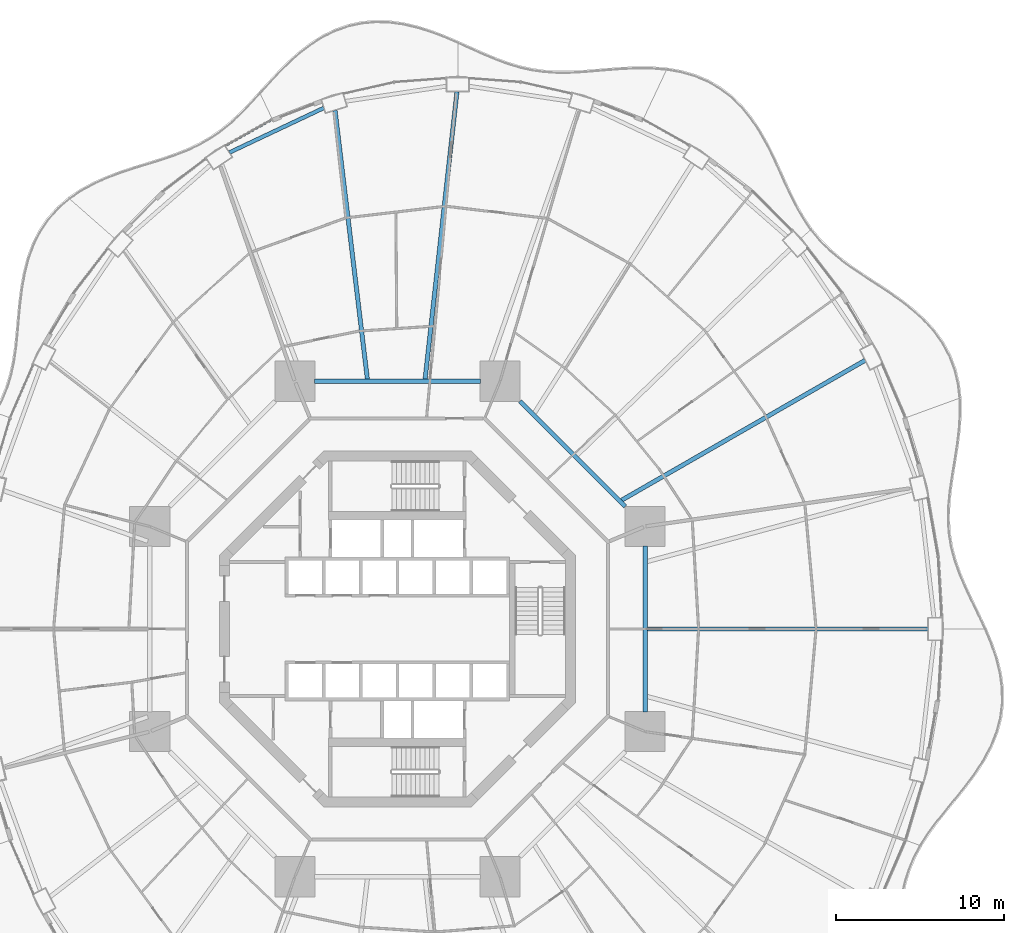
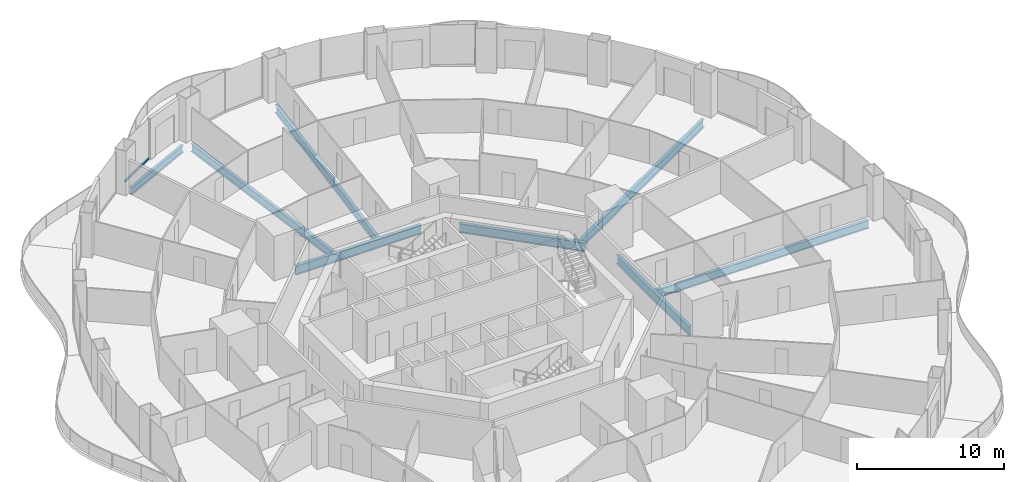
# One storey, part 7 of 21: 8 beams, 1 member, 1 element without a shape of its own.
"""IFC4 building model written with IfcOpenShell, lengths in metres."""

from ifc_helpers import new_model, si_unit, direction, frame, origin, origin_2d, place, context, subcontext, project, spatial, rectangle, i_section, extrude, material, layer, layer_set, material_profile, profile_set, type_object, element, aggregate, save


model = new_model("IFC4")

# Units and contexts
model_context = context("Model", 3, precision=1e-05, world=origin(), true_north=direction((0.0, 1.0)))
body_context = subcontext(model_context, "Body", "Model", "MODEL_VIEW")
ifc_project = project(units=[si_unit("LENGTHUNIT", "METRE"), si_unit("AREAUNIT", "SQUARE_METRE"), si_unit("VOLUMEUNIT", "CUBIC_METRE"), si_unit("PLANEANGLEUNIT", "RADIAN"), si_unit("MASSUNIT", "GRAM", prefix="KILO")], contexts=[model_context])

# Site, building, storey
site_placement = place(None, origin())
site = spatial("IfcSite", under=ifc_project, at=site_placement, CompositionType="ELEMENT")
building_placement = place(site_placement, origin())
building = spatial("IfcBuilding", under=site, at=building_placement, Name="Nagisa Residences", CompositionType="ELEMENT")
storey_placement = place(building_placement, frame((0.0, 0.0, 60.300048828125)))
storey = spatial("IfcBuildingStorey", under=building, at=storey_placement, Name="L14", CompositionType="ELEMENT", Elevation=60.300048828125)

# Curtain wall, member
ifc_material_1 = material(Name="Concrete-coloured aluminium curtain wall system", Category="concrete")
ifc_layer = layer(ifc_material_1, 0.159912109375)
ifc_layer_set = layer_set([ifc_layer], Name="CW1 CURTAIN WALL")
curtain_wall_type = type_object("IfcCurtainWallType", Name="CW1 CURTAIN WALL", PredefinedType="NOTDEFINED", material=ifc_layer_set)
curtain_wall_placement = place(storey_placement, origin())
curtain_wall = element("IfcCurtainWall", 1, at=curtain_wall_placement, inside=storey, type_object=curtain_wall_type, Name="cw:CW1:L14:15", PredefinedType="NOTDEFINED")
ifc_material_2 = material(Name="Concrete-coloured aluminium", Category="concrete")
ifc_material_profile_1 = material_profile(ifc_material_2, rectangle(XDim=0.1201171875, YDim=0.14990234375, at=origin_2d()), Name="CW1 TRANSOM 120x150")
ifc_profile_set_1 = profile_set([ifc_material_profile_1], Name="Concrete-coloured aluminium")
member_type = type_object("IfcMemberType", Name="CW1 TRANSOM 120x150", PredefinedType="USERDEFINED", material=ifc_profile_set_1)
member_placement = place(storey_placement, frame((-7.458740234375, 30.418212890625, 0.074951171875), z_axis=(-0.872070011948, -0.489381133946, 0.0), x_axis=(0.489381133946, -0.872070011948, 0.0)))
member = element("IfcMember", 2, at=member_placement, type_object=member_type, Name="CW1 transom", ObjectType="TRANSOM", PredefinedType="USERDEFINED", context=body_context, shape_type="SweptSolid", body=[
    extrude(rectangle(XDim=0.1201171875, YDim=0.14990234375, at=origin_2d()), origin(), (0.0, 0.0, 1.0), 3.201171875),
])
aggregate(curtain_wall, [member])

# Beams
ifc_material_3 = material(Name="Steel ASTM A572 Gr 50", Category="steel")
ifc_material_profile_2 = material_profile(ifc_material_3, i_section(OverallWidth=0.264892578125, OverallDepth=0.7529296875, WebThickness=0.01318359375, FlangeThickness=0.01708984375, at=origin_2d()), Name="W760x147")
ifc_profile_set_2 = profile_set([ifc_material_profile_2], Name="Steel ASTM A572 Gr 50")
beam_type_1 = type_object("IfcBeamType", Name="Inner ring beam W760x147", PredefinedType="BEAM", material=ifc_profile_set_2)
beam_1_placement = place(storey_placement, frame((13.59619140625, 7.308837890625, -0.636474609375), z_axis=(-0.707106781187, 0.707106781187, 0.0), x_axis=(-0.707106781187, -0.707106781187, 0.0)))
element("IfcBeam", 3, at=beam_1_placement, inside=storey, type_object=beam_type_1, Name="beam:L14:ib1", PredefinedType="BEAM", context=body_context, shape_type="SweptSolid", body=[
    extrude(i_section(OverallWidth=0.264892578125, OverallDepth=0.7529296875, WebThickness=0.01318359375, FlangeThickness=0.01708984375, at=origin_2d()), origin(), (0.0, 0.0, 1.0), 8.8916015625),
])
for number, where, z_axis, x_axis, name in (
    (4, (4.94287109375, 14.781982421875, -0.636474609375), (-1.0, 0.0, 0.0), (0.0, -1.0, 0.0), "beam:L14:ib2"),
    (5, (14.781982421875, -4.94287109375, -0.636474609375), (0.0, 1.0, 0.0), (-1.0, 0.0, 0.0), "beam:L14:ib8"),
):
    element("IfcBeam", number, at=place(storey_placement, frame(where, z_axis=z_axis, x_axis=x_axis)), inside=storey, type_object=beam_type_1, Name=name, PredefinedType="BEAM", context=body_context, shape_type="SweptSolid", body=[
        extrude(i_section(OverallWidth=0.264892578125, OverallDepth=0.7529296875, WebThickness=0.01318359375, FlangeThickness=0.01708984375, at=origin_2d()), origin(), (0.0, 0.0, 1.0), 9.8857421875),
    ])
ifc_material_4 = material(Name="Steel ASTM A572 Gr 50", Category="steel")
ifc_material_profile_3 = material_profile(ifc_material_4, i_section(OverallWidth=0.22802734375, OverallDepth=0.60302734375, WebThickness=0.010498046875, FlangeThickness=0.014892578125, at=origin_2d()), Name="W610x101")
ifc_profile_set_3 = profile_set([ifc_material_profile_3], Name="Steel ASTM A572 Gr 50")
beam_type_2 = type_object("IfcBeamType", Name="Perimeter ring beam W610x101", PredefinedType="BEAM", material=ifc_profile_set_3)
beam_2_placement = place(storey_placement, frame((-4.39794921875, 31.098876953125, -0.5615234375), z_axis=(-0.904208275867, -0.427091786216, 0.0), x_axis=(0.427091786216, -0.904208275867, 0.0)))
element("IfcBeam", 6, at=beam_2_placement, inside=storey, type_object=beam_type_2, Name="beam:L14:pb08", PredefinedType="BEAM", context=body_context, shape_type="SweptSolid", body=[
    extrude(i_section(OverallWidth=0.22802734375, OverallDepth=0.60302734375, WebThickness=0.010498046875, FlangeThickness=0.014892578125, at=origin_2d()), origin(), (0.0, 0.0, 1.0), 6.227294921875),
])
ifc_material_5 = material(Name="Steel ASTM A572 Gr 50", Category="steel")
ifc_material_profile_4 = material_profile(ifc_material_5, i_section(OverallWidth=0.25390625, OverallDepth=0.68408203125, WebThickness=0.012451171875, FlangeThickness=0.018798828125, at=origin_2d()), Name="W690x140")
ifc_profile_set_4 = profile_set([ifc_material_profile_4], Name="Steel ASTM A572 Gr 50")
beam_type_3 = type_object("IfcBeamType", Name="Radial beam W690x140", PredefinedType="BEAM", material=ifc_profile_set_4)
beam_3_placement = place(storey_placement, frame((31.669921875, 0.0, -0.60205078125), z_axis=(-1.0, 0.0, 0.0), x_axis=(0.0, -1.0, 0.0)))
element("IfcBeam", 7, at=beam_3_placement, inside=storey, type_object=beam_type_3, Name="beam:L14:rb01", PredefinedType="BEAM", context=body_context, shape_type="SweptSolid", body=[
    extrude(i_section(OverallWidth=0.25390625, OverallDepth=0.68408203125, WebThickness=0.012451171875, FlangeThickness=0.018798828125, at=origin_2d()), origin(), (0.0, 0.0, 1.0), 16.775390625),
])
beam_4_placement = place(storey_placement, frame((27.908447265625, 16.035400390625, -0.60205078125), z_axis=(-0.867068052258, -0.498189715623, 0.0), x_axis=(0.498189715623, -0.867068052258, 0.0)))
element("IfcBeam", 8, at=beam_4_placement, inside=storey, type_object=beam_type_3, Name="beam:L14:rb03", PredefinedType="BEAM", context=body_context, shape_type="SweptSolid", body=[
    extrude(i_section(OverallWidth=0.25390625, OverallDepth=0.68408203125, WebThickness=0.012451171875, FlangeThickness=0.018798828125, at=origin_2d()), origin(), (0.0, 0.0, 1.0), 16.758056640625),
])
beam_5_placement = place(storey_placement, frame((3.55224609375, 32.06982421875, -0.60205078125), z_axis=(-0.110088818647, -0.993921753464, 0.0), x_axis=(0.993921753464, -0.110088818647, 0.0)))
element("IfcBeam", 9, at=beam_5_placement, inside=storey, type_object=beam_type_3, Name="beam:L14:rb07", PredefinedType="BEAM", context=body_context, shape_type="SweptSolid", body=[
    extrude(i_section(OverallWidth=0.25390625, OverallDepth=0.68408203125, WebThickness=0.012451171875, FlangeThickness=0.018798828125, at=origin_2d()), origin(), (0.0, 0.0, 1.0), 17.280029296875),
])
beam_6_placement = place(storey_placement, frame((-3.72412109375, 30.958740234375, -0.60205078125), z_axis=(0.119431411612, -0.992842453726, 0.0), x_axis=(0.992842453726, 0.119431411612, 0.0)))
element("IfcBeam", 10, at=beam_6_placement, inside=storey, type_object=beam_type_3, Name="beam:L14:rb08", PredefinedType="BEAM", context=body_context, shape_type="SweptSolid", body=[
    extrude(i_section(OverallWidth=0.25390625, OverallDepth=0.68408203125, WebThickness=0.012451171875, FlangeThickness=0.018798828125, at=origin_2d()), origin(), (0.0, 0.0, 1.0), 16.1796875),
])

save(model, "model.ifc")
